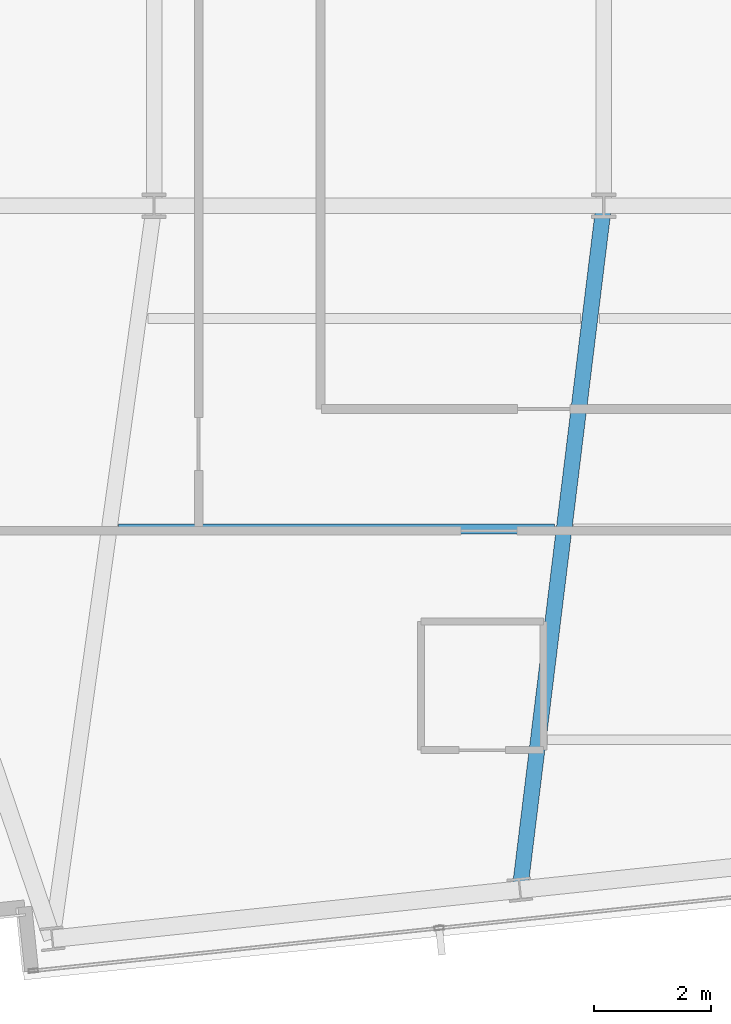
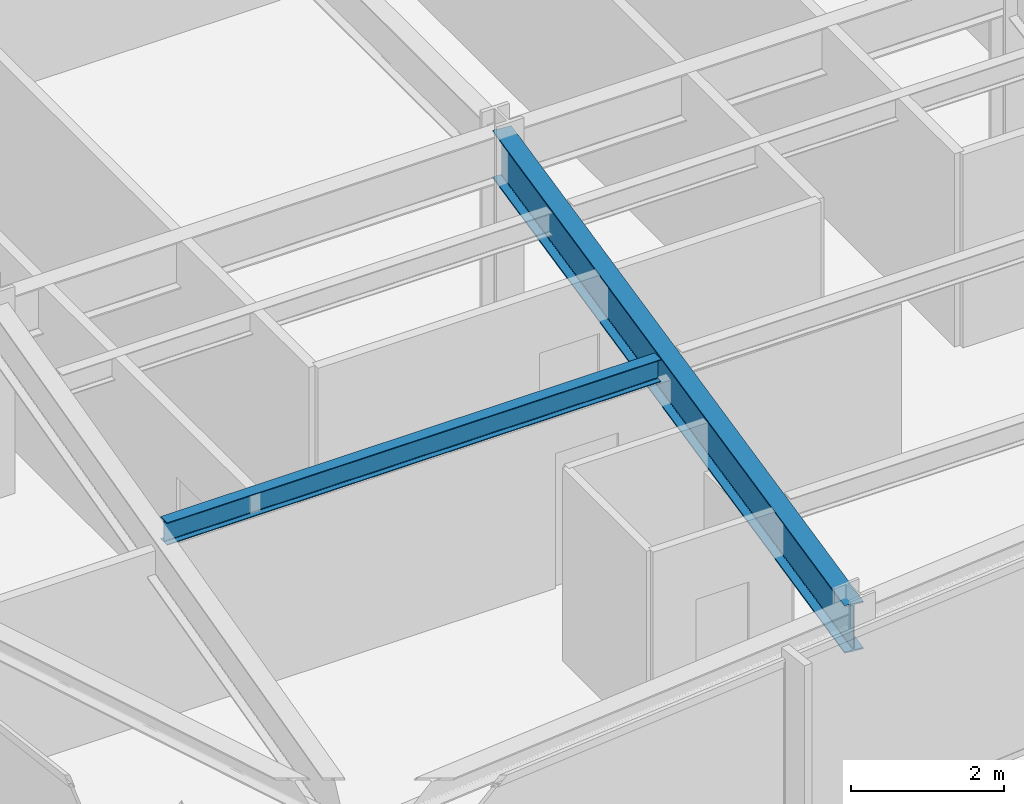
# One storey, part 4 of 32: 2 beams.
"""IFC4 building model written with IfcOpenShell, lengths in metres."""

from ifc_helpers import new_model, si_unit, direction, frame, origin, origin_2d, place, context, subcontext, project, spatial, i_section, extrude, material, material_profile, profile_set, type_object, element, save


model = new_model("IFC4")

# Units and contexts
model_context = context("Model", 3, precision=1e-05, world=origin(), true_north=direction((0.0, 1.0)))
body_context = subcontext(model_context, "Body", "Model", "MODEL_VIEW")
ifc_project = project(units=[si_unit("LENGTHUNIT", "METRE"), si_unit("AREAUNIT", "SQUARE_METRE"), si_unit("VOLUMEUNIT", "CUBIC_METRE"), si_unit("PLANEANGLEUNIT", "RADIAN"), si_unit("MASSUNIT", "GRAM", prefix="KILO")], contexts=[model_context])

# Site, building, storey
site_placement = place(None, origin())
site = spatial("IfcSite", under=ifc_project, at=site_placement, CompositionType="ELEMENT")
building_placement = place(site_placement, origin())
building = spatial("IfcBuilding", under=site, at=building_placement, Name="Yelkora Congress Tower", CompositionType="ELEMENT")
storey_placement = place(building_placement, frame((0.0, 0.0, 214.39990234375)))
storey = spatial("IfcBuildingStorey", under=building, at=storey_placement, Name="L59", CompositionType="ELEMENT", Elevation=214.39990234375)

# Beams
ifc_material = material(Name="Steel S355J2", Category="steel")
ifc_material_profile_1 = material_profile(ifc_material, i_section(OverallWidth=0.26708984375, OverallDepth=0.761962890625, WebThickness=0.014404296875, FlangeThickness=0.021484375, FilletRadius=0.01708984375, at=origin_2d()), Name="IPE 750x173")
ifc_profile_set_1 = profile_set([ifc_material_profile_1], Name="Steel S355J2")
beam_type_1 = type_object("IfcBeamType", Name="BM-GIRD-IPE750", PredefinedType="BEAM", material=ifc_profile_set_1)
beam_1_placement = place(storey_placement, frame((29.288330078125, 13.518310546875, 2.69921875), z_axis=(0.121644630436, 0.992573717104, 0.0), x_axis=(-0.992573717104, 0.121644630436, 0.0)))
element("IfcBeam", 1, at=beam_1_placement, inside=storey, type_object=beam_type_1, Name="L59 Primary Frame Girder S02", PredefinedType="BEAM", context=body_context, shape_type="SweptSolid", body=[
    extrude(i_section(OverallWidth=0.26708984375, OverallDepth=0.761962890625, WebThickness=0.014404296875, FlangeThickness=0.021484375, FilletRadius=0.01708984375, at=origin_2d()), origin(), (0.0, 0.0, 1.0), 11.76904296875),
])
ifc_material_profile_2 = material_profile(ifc_material, i_section(OverallWidth=0.169921875, OverallDepth=0.360107421875, WebThickness=0.008056640625, FlangeThickness=0.0126953125, FilletRadius=0.01806640625, at=origin_2d()), Name="IPE 360")
ifc_profile_set_2 = profile_set([ifc_material_profile_2], Name="Steel S355J2")
beam_type_2 = type_object("IfcBeamType", Name="BM-JOIST-IPE360", PredefinedType="JOIST", material=ifc_profile_set_2)
beam_2_placement = place(storey_placement, frame((22.432373046875, 19.678466796875, 2.900146484375), z_axis=(1.0, 0.0, 0.0), x_axis=(0.0, 1.0, 0.0)))
element("IfcBeam", 2, at=beam_2_placement, inside=storey, type_object=beam_type_2, Name="L59 Composite Floor Joist 3", PredefinedType="JOIST", context=body_context, shape_type="SweptSolid", body=[
    extrude(i_section(OverallWidth=0.169921875, OverallDepth=0.360107421875, WebThickness=0.008056640625, FlangeThickness=0.0126953125, FilletRadius=0.01806640625, at=origin_2d()), origin(), (0.0, 0.0, 1.0), 7.450927734375),
])

save(model, "model.ifc")
